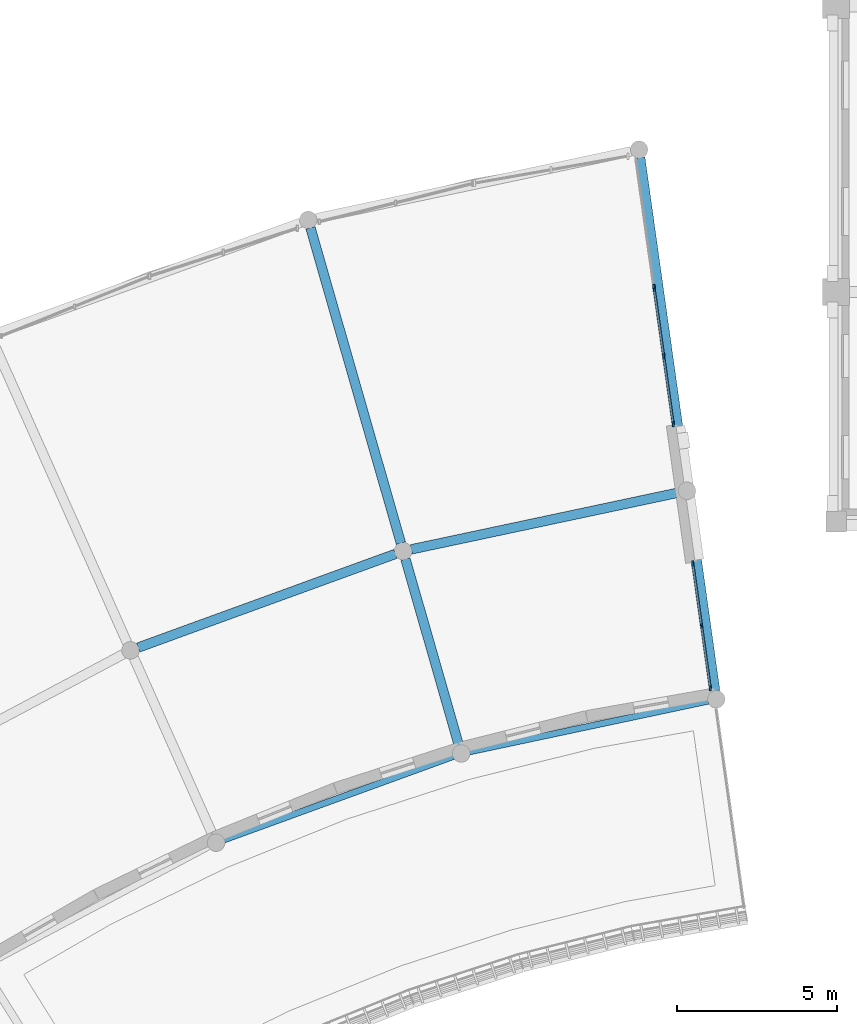
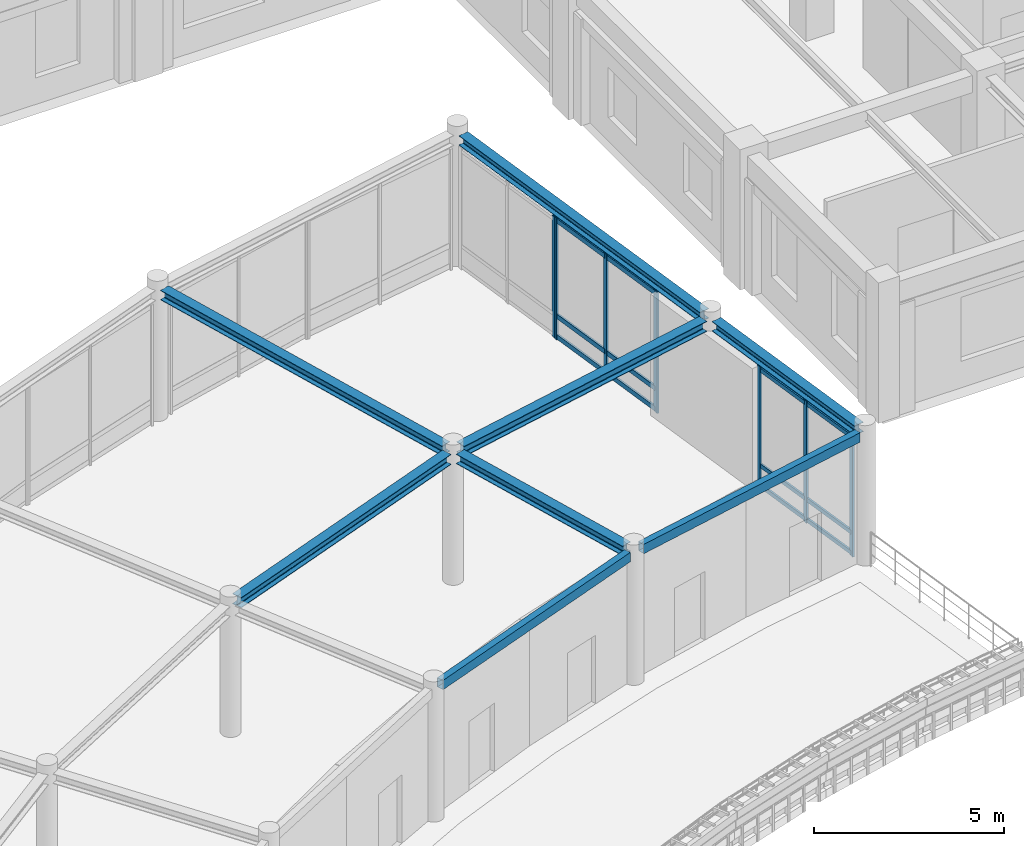
# One storey, part 23 of 62: 19 members, 8 beams, 3 elements without a shape of their own.
"""IFC4 building model written with IfcOpenShell, lengths in metres."""

from ifc_helpers import new_model, si_unit, direction, frame, origin, origin_2d, place, context, subcontext, project, spatial, rectangle, hollow_rectangle, i_section, extrude, material, material_profile, profile_set, type_object, element, aggregate, save


model = new_model("IFC4")

# Units and contexts
model_context = context("Model", 3, precision=1e-05, world=origin(), true_north=direction((0.0, 1.0)))
body_context = subcontext(model_context, "Body", "Model", "MODEL_VIEW")
ifc_project = project(units=[si_unit("LENGTHUNIT", "METRE"), si_unit("AREAUNIT", "SQUARE_METRE"), si_unit("VOLUMEUNIT", "CUBIC_METRE"), si_unit("PLANEANGLEUNIT", "RADIAN"), si_unit("MASSUNIT", "GRAM", prefix="KILO")], contexts=[model_context])

# Site, building, storey
site_placement = place(None, origin())
site = spatial("IfcSite", under=ifc_project, at=site_placement, CompositionType="ELEMENT")
building_placement = place(site_placement, origin())
building = spatial("IfcBuilding", under=site, at=building_placement, Name="Clarverna Civic Hall", CompositionType="ELEMENT")
storey_placement = place(building_placement, frame((0.0, 0.0, 5.10009765625)))
storey = spatial("IfcBuildingStorey", under=building, at=storey_placement, Name="L01", CompositionType="ELEMENT", Elevation=5.10009765625)

# Beams
ifc_material_1 = material(Name="Steel S355", Category="steel")
ifc_material_profile_1 = material_profile(ifc_material_1, hollow_rectangle(XDim=0.199951171875, YDim=0.300048828125, WallThickness=0.010009765625, at=origin_2d()), Name="RHS 300x200x10.0")
ifc_profile_set_1 = profile_set([ifc_material_profile_1], Name="Steel S355")
beam_type_1 = type_object("IfcBeamType", Name="B-ST15", PredefinedType="SPANDREL", material=ifc_profile_set_1)
beam_1_placement = place(storey_placement, frame((143.590087890625, 65.9755859375, 4.10986328125), z_axis=(-0.978149691063, -0.207901856348, 0.0), x_axis=(0.207901856348, -0.978149691063, 0.0)))
element("IfcBeam", 1, at=beam_1_placement, inside=storey, type_object=beam_type_1, Name="B-ST15-010", PredefinedType="SPANDREL", context=body_context, shape_type="SweptSolid", body=[
    extrude(hollow_rectangle(XDim=0.199951171875, YDim=0.300048828125, WallThickness=0.010009765625, at=origin_2d()), origin(), (0.0, 0.0, 1.0), 7.6552734375),
])
beam_2_placement = place(storey_placement, frame((135.603515625, 64.240966796875, 4.10986328125), z_axis=(-0.939704006101, -0.341988860808, 0.0), x_axis=(0.341988860808, -0.939704006101, 0.0)))
element("IfcBeam", 2, at=beam_2_placement, inside=storey, type_object=beam_type_1, Name="B-ST15-011", PredefinedType="SPANDREL", context=body_context, shape_type="SweptSolid", body=[
    extrude(hollow_rectangle(XDim=0.199951171875, YDim=0.300048828125, WallThickness=0.010009765625, at=origin_2d()), origin(), (0.0, 0.0, 1.0), 7.65576171875),
])
ifc_material_profile_2 = material_profile(ifc_material_1, i_section(OverallWidth=0.300048828125, OverallDepth=0.330078125, WebThickness=0.009521484375, FlangeThickness=0.0166015625, FilletRadius=0.027099609375, at=origin_2d()), Name="HEA 340")
ifc_profile_set_2 = profile_set([ifc_material_profile_2], Name="Steel S355")
beam_type_2 = type_object("IfcBeamType", Name="B-ST8", PredefinedType="BEAM", material=ifc_profile_set_2)
for number, where, z_axis, x_axis, name in (
    (3, (142.671630859375, 72.511474609375, 4.054931640625), (-0.97815139842, -0.207893823307, 0.0), (0.207893823307, -0.97815139842, 0.0), "B-ST8-058"),
    (4, (133.7841796875, 70.58544921875, 4.054931640625), (-0.939689486583, -0.342028754356, 0.0), (0.342028754356, -0.939689486583, 0.0), "B-ST8-059"),
):
    element("IfcBeam", number, at=place(storey_placement, frame(where, z_axis=z_axis, x_axis=x_axis)), inside=storey, type_object=beam_type_2, Name=name, PredefinedType="BEAM", context=body_context, shape_type="SweptSolid", body=[
        extrude(i_section(OverallWidth=0.300048828125, OverallDepth=0.330078125, WebThickness=0.009521484375, FlangeThickness=0.0166015625, FilletRadius=0.027099609375, at=origin_2d()), origin(), (0.0, 0.0, 1.0), 8.576416015625),
    ])
ifc_material_profile_3 = material_profile(ifc_material_1, i_section(OverallWidth=0.300048828125, OverallDepth=0.31005859375, WebThickness=0.009033203125, FlangeThickness=0.015380859375, FilletRadius=0.027099609375, at=origin_2d()), Name="HEA 320")
ifc_profile_set_3 = profile_set([ifc_material_profile_3], Name="Steel S355")
beam_type_3 = type_object("IfcBeamType", Name="B-ST9", PredefinedType="BEAM", material=ifc_profile_set_3)
beam_3_placement = place(storey_placement, frame((143.808349609375, 66.287109375, 4.06494140625), z_axis=(-0.139172389618, 0.990268168714, 0.0), x_axis=(-0.990268168714, -0.139172389618, 0.0)))
element("IfcBeam", 5, at=beam_3_placement, inside=storey, type_object=beam_type_3, Name="B-ST9-056", PredefinedType="BEAM", context=body_context, shape_type="SweptSolid", body=[
    extrude(i_section(OverallWidth=0.300048828125, OverallDepth=0.31005859375, WebThickness=0.009033203125, FlangeThickness=0.015380859375, FilletRadius=0.027099609375, at=origin_2d()), origin(), (0.0, 0.0, 1.0), 6.080078125),
])
beam_4_placement = place(storey_placement, frame((142.8896484375, 72.822998046875, 4.06494140625), z_axis=(-0.139170045781, 0.990268498114, 0.0), x_axis=(-0.990268498114, -0.139170045781, 0.0)))
element("IfcBeam", 6, at=beam_4_placement, inside=storey, type_object=beam_type_3, Name="B-ST9-057", PredefinedType="BEAM", context=body_context, shape_type="SweptSolid", body=[
    extrude(i_section(OverallWidth=0.300048828125, OverallDepth=0.31005859375, WebThickness=0.009033203125, FlangeThickness=0.015380859375, FilletRadius=0.027099609375, at=origin_2d()), origin(), (0.0, 0.0, 1.0), 10.280029296875),
])
beam_5_placement = place(storey_placement, frame((135.77587890625, 64.579833984375, 4.06494140625), z_axis=(-0.275622596193, 0.96126592807, 0.0), x_axis=(-0.96126592807, -0.275622596193, 0.0)))
element("IfcBeam", 7, at=beam_5_placement, inside=storey, type_object=beam_type_3, Name="B-ST9-058", PredefinedType="BEAM", context=body_context, shape_type="SweptSolid", body=[
    extrude(i_section(OverallWidth=0.300048828125, OverallDepth=0.31005859375, WebThickness=0.009033203125, FlangeThickness=0.015380859375, FilletRadius=0.027099609375, at=origin_2d()), origin(), (0.0, 0.0, 1.0), 6.080078125),
])
beam_6_placement = place(storey_placement, frame((133.956787109375, 70.92431640625, 4.06494140625), z_axis=(-0.275636928137, 0.961261818573, 0.0), x_axis=(-0.961261818573, -0.275636928137, 0.0)))
element("IfcBeam", 8, at=beam_6_placement, inside=storey, type_object=beam_type_3, Name="B-ST9-059", PredefinedType="BEAM", context=body_context, shape_type="SweptSolid", body=[
    extrude(i_section(OverallWidth=0.300048828125, OverallDepth=0.31005859375, WebThickness=0.009033203125, FlangeThickness=0.015380859375, FilletRadius=0.027099609375, at=origin_2d()), origin(), (0.0, 0.0, 1.0), 10.27978515625),
])

# Curtain wall, members
ifc_material_2 = material(Name="Anodised Bronze Architectural Aluminium", Category="aluminium")
curtain_wall_type = type_object("IfcCurtainWallType", Name="CW-03", PredefinedType="USERDEFINED", material=ifc_material_2)
curtain_wall_1_placement = place(storey_placement, origin())
curtain_wall_1 = element("IfcCurtainWall", 9, at=curtain_wall_1_placement, inside=storey, type_object=curtain_wall_type, Name="CW-03-037", ObjectType="UNITISED CURTAIN WALL", PredefinedType="USERDEFINED")
ifc_material_profile_4 = material_profile(ifc_material_2, rectangle(XDim=0.06005859375, YDim=0.179931640625, at=origin_2d()), Name="BRONZE 60x180")
ifc_profile_set_4 = profile_set([ifc_material_profile_4], Name="Anodised Bronze Architectural Aluminium")
member_type_1 = type_object("IfcMemberType", Name="CWM-01", PredefinedType="MULLION", material=ifc_profile_set_4)
member_1_placement = place(storey_placement, frame((141.894287109375, 78.900390625, 0.0), z_axis=(0.0, 0.0, 1.0), x_axis=(1.0, 0.0, 0.0)))
member_1 = element("IfcMember", 10, at=member_1_placement, type_object=member_type_1, Name="CWM-01-050", PredefinedType="MULLION", context=body_context, shape_type="SweptSolid", body=[
    extrude(rectangle(XDim=0.06005859375, YDim=0.179931640625, at=origin_2d()), origin(), (0.0, 0.0, 1.0), 3.909912109375),
])
member_2_placement = place(storey_placement, frame((142.1923828125, 76.779296875, 0.0), z_axis=(0.0, 0.0, 1.0), x_axis=(1.0, 0.0, 0.0)))
member_2 = element("IfcMember", 11, at=member_2_placement, type_object=member_type_1, Name="CWM-01-051", PredefinedType="MULLION", context=body_context, shape_type="SweptSolid", body=[
    extrude(rectangle(XDim=0.06005859375, YDim=0.179931640625, at=origin_2d()), origin(), (0.0, 0.0, 1.0), 3.909912109375),
])
member_3_placement = place(storey_placement, frame((142.490478515625, 74.658203125, 0.0), z_axis=(0.0, 0.0, 1.0), x_axis=(1.0, 0.0, 0.0)))
member_3 = element("IfcMember", 12, at=member_3_placement, type_object=member_type_1, Name="CWM-01-052", PredefinedType="MULLION", context=body_context, shape_type="SweptSolid", body=[
    extrude(rectangle(XDim=0.06005859375, YDim=0.179931640625, at=origin_2d()), origin(), (0.0, 0.0, 1.0), 3.909912109375),
])

curtain_wall_2_placement = place(storey_placement, origin())
curtain_wall_2 = element("IfcCurtainWall", 13, at=curtain_wall_2_placement, inside=storey, type_object=curtain_wall_type, Name="CW-03-038", ObjectType="UNITISED CURTAIN WALL", PredefinedType="USERDEFINED")
ifc_material_profile_5 = material_profile(ifc_material_2, rectangle(XDim=0.06005859375, YDim=0.159912109375, at=origin_2d()), Name="BRONZE 60x160")
ifc_profile_set_5 = profile_set([ifc_material_profile_5], Name="Anodised Bronze Architectural Aluminium")
member_type_2 = type_object("IfcMemberType", Name="CWM-02", PredefinedType="MULLION", material=ifc_profile_set_5)
member_4_placement = place(storey_placement, frame((143.10498046875, 70.28515625, 0.0), z_axis=(0.0, 0.0, 1.0), x_axis=(1.0, 0.0, 0.0)))
member_4 = element("IfcMember", 14, at=member_4_placement, type_object=member_type_2, Name="CWM-02-062", PredefinedType="MULLION", context=body_context, shape_type="SweptSolid", body=[
    extrude(rectangle(XDim=0.06005859375, YDim=0.159912109375, at=origin_2d()), origin(), (0.0, 0.0, 1.0), 3.909912109375),
])
member_5_placement = place(storey_placement, frame((143.379638671875, 68.331298828125, 0.0), z_axis=(0.0, 0.0, 1.0), x_axis=(1.0, 0.0, 0.0)))
member_5 = element("IfcMember", 15, at=member_5_placement, type_object=member_type_2, Name="CWM-02-063", PredefinedType="MULLION", context=body_context, shape_type="SweptSolid", body=[
    extrude(rectangle(XDim=0.06005859375, YDim=0.159912109375, at=origin_2d()), origin(), (0.0, 0.0, 1.0), 3.909912109375),
])
member_6_placement = place(storey_placement, frame((143.654296875, 66.37744140625, 0.0), z_axis=(0.0, 0.0, 1.0), x_axis=(1.0, 0.0, 0.0)))
member_6 = element("IfcMember", 16, at=member_6_placement, type_object=member_type_2, Name="CWM-02-064", PredefinedType="MULLION", context=body_context, shape_type="SweptSolid", body=[
    extrude(rectangle(XDim=0.06005859375, YDim=0.159912109375, at=origin_2d()), origin(), (0.0, 0.0, 1.0), 3.909912109375),
])

# Curtain wall, member
curtain_wall_3_placement = place(storey_placement, origin())
curtain_wall_3 = element("IfcCurtainWall", 17, at=curtain_wall_3_placement, inside=storey, type_object=curtain_wall_type, Name="CW-03-036", ObjectType="UNITISED CURTAIN WALL", PredefinedType="USERDEFINED")
ifc_material_profile_6 = material_profile(ifc_material_2, rectangle(XDim=0.054931640625, YDim=0.139892578125, at=origin_2d()), Name="BRONZE 55x140")
ifc_profile_set_6 = profile_set([ifc_material_profile_6], Name="Anodised Bronze Architectural Aluminium")
member_type_3 = type_object("IfcMemberType", Name="CWM-04", PredefinedType="MULLION", material=ifc_profile_set_6)
member_7_placement = place(storey_placement, frame((141.885009765625, 78.9658203125, 0.0), z_axis=(0.0, 0.0, 1.0), x_axis=(1.0, 0.0, 0.0)))
member_7 = element("IfcMember", 18, at=member_7_placement, type_object=member_type_3, Name="CWM-04-062", PredefinedType="MULLION", context=body_context, shape_type="SweptSolid", body=[
    extrude(rectangle(XDim=0.054931640625, YDim=0.139892578125, at=origin_2d()), origin(), (0.0, 0.0, 1.0), 3.889892578125),
])
aggregate(curtain_wall_3, [member_7])

# Member
ifc_material_profile_7 = material_profile(ifc_material_2, rectangle(XDim=0.06005859375, YDim=0.14990234375, at=origin_2d()), Name="BRONZE 60x150")
ifc_profile_set_7 = profile_set([ifc_material_profile_7], Name="Anodised Bronze Architectural Aluminium")
member_type_4 = type_object("IfcMemberType", Name="CWT-01", PredefinedType="USERDEFINED", material=ifc_profile_set_7)
member_8_placement = place(storey_placement, frame((141.896240234375, 78.885498046875, 0.094970703125), z_axis=(0.139187522113, -0.990266041874, 0.0), x_axis=(0.990266041874, 0.139187522113, 0.0)))
member_8 = element("IfcMember", 19, at=member_8_placement, type_object=member_type_4, Name="CWT-01-103", ObjectType="TRANSOM", PredefinedType="USERDEFINED", context=body_context, shape_type="SweptSolid", body=[
    extrude(rectangle(XDim=0.06005859375, YDim=0.14990234375, at=origin_2d()), origin(), (0.0, 0.0, 1.0), 2.11181640625),
])

member_9_placement = place(storey_placement, frame((141.896240234375, 78.885498046875, 0.75), z_axis=(0.139187522113, -0.990266041874, 0.0), x_axis=(0.990266041874, 0.139187522113, 0.0)))
member_9 = element("IfcMember", 20, at=member_9_placement, type_object=member_type_4, Name="CWT-01-104", ObjectType="TRANSOM", PredefinedType="USERDEFINED", context=body_context, shape_type="SweptSolid", body=[
    extrude(rectangle(XDim=0.06005859375, YDim=0.14990234375, at=origin_2d()), origin(), (0.0, 0.0, 1.0), 2.11181640625),
])

member_10_placement = place(storey_placement, frame((141.896240234375, 78.885498046875, 3.81494140625), z_axis=(0.139187522113, -0.990266041874, 0.0), x_axis=(0.990266041874, 0.139187522113, 0.0)))
member_10 = element("IfcMember", 21, at=member_10_placement, type_object=member_type_4, Name="CWT-01-105", ObjectType="TRANSOM", PredefinedType="USERDEFINED", context=body_context, shape_type="SweptSolid", body=[
    extrude(rectangle(XDim=0.06005859375, YDim=0.14990234375, at=origin_2d()), origin(), (0.0, 0.0, 1.0), 2.11181640625),
])

member_11_placement = place(storey_placement, frame((142.1943359375, 76.764404296875, 0.094970703125), z_axis=(0.139187522113, -0.990266041874, 0.0), x_axis=(0.990266041874, 0.139187522113, 0.0)))
member_11 = element("IfcMember", 22, at=member_11_placement, type_object=member_type_4, Name="CWT-01-106", ObjectType="TRANSOM", PredefinedType="USERDEFINED", context=body_context, shape_type="SweptSolid", body=[
    extrude(rectangle(XDim=0.06005859375, YDim=0.14990234375, at=origin_2d()), origin(), (0.0, 0.0, 1.0), 2.11181640625),
])

member_12_placement = place(storey_placement, frame((142.1943359375, 76.764404296875, 0.75), z_axis=(0.139187522113, -0.990266041874, 0.0), x_axis=(0.990266041874, 0.139187522113, 0.0)))
member_12 = element("IfcMember", 23, at=member_12_placement, type_object=member_type_4, Name="CWT-01-107", ObjectType="TRANSOM", PredefinedType="USERDEFINED", context=body_context, shape_type="SweptSolid", body=[
    extrude(rectangle(XDim=0.06005859375, YDim=0.14990234375, at=origin_2d()), origin(), (0.0, 0.0, 1.0), 2.11181640625),
])

member_13_placement = place(storey_placement, frame((142.1943359375, 76.764404296875, 3.81494140625), z_axis=(0.139187522113, -0.990266041874, 0.0), x_axis=(0.990266041874, 0.139187522113, 0.0)))
member_13 = element("IfcMember", 24, at=member_13_placement, type_object=member_type_4, Name="CWT-01-108", ObjectType="TRANSOM", PredefinedType="USERDEFINED", context=body_context, shape_type="SweptSolid", body=[
    extrude(rectangle(XDim=0.06005859375, YDim=0.14990234375, at=origin_2d()), origin(), (0.0, 0.0, 1.0), 2.11181640625),
])

aggregate(curtain_wall_1, [member_1, member_2, member_3, member_8, member_9, member_10, member_11, member_12, member_13])

ifc_material_profile_8 = material_profile(ifc_material_2, rectangle(XDim=0.06005859375, YDim=0.1298828125, at=origin_2d()), Name="BRONZE 60x130")
ifc_profile_set_8 = profile_set([ifc_material_profile_8], Name="Anodised Bronze Architectural Aluminium")
member_type_5 = type_object("IfcMemberType", Name="CWT-02", PredefinedType="USERDEFINED", material=ifc_profile_set_8)
member_14_placement = place(storey_placement, frame((143.107177734375, 70.270263671875, 0.094970703125), z_axis=(0.139222102315, -0.990261180814, 0.0), x_axis=(0.990261180814, 0.139222102315, 0.0)))
member_14 = element("IfcMember", 25, at=member_14_placement, type_object=member_type_5, Name="CWT-02-127", ObjectType="TRANSOM", PredefinedType="USERDEFINED", context=body_context, shape_type="SweptSolid", body=[
    extrude(rectangle(XDim=0.06005859375, YDim=0.1298828125, at=origin_2d()), origin(), (0.0, 0.0, 1.0), 1.943115234375),
])

member_15_placement = place(storey_placement, frame((143.107177734375, 70.270263671875, 0.75), z_axis=(0.139222102315, -0.990261180814, 0.0), x_axis=(0.990261180814, 0.139222102315, 0.0)))
member_15 = element("IfcMember", 26, at=member_15_placement, type_object=member_type_5, Name="CWT-02-128", ObjectType="TRANSOM", PredefinedType="USERDEFINED", context=body_context, shape_type="SweptSolid", body=[
    extrude(rectangle(XDim=0.06005859375, YDim=0.1298828125, at=origin_2d()), origin(), (0.0, 0.0, 1.0), 1.943115234375),
])

member_16_placement = place(storey_placement, frame((143.107177734375, 70.270263671875, 3.81494140625), z_axis=(0.139222102315, -0.990261180814, 0.0), x_axis=(0.990261180814, 0.139222102315, 0.0)))
member_16 = element("IfcMember", 27, at=member_16_placement, type_object=member_type_5, Name="CWT-02-129", ObjectType="TRANSOM", PredefinedType="USERDEFINED", context=body_context, shape_type="SweptSolid", body=[
    extrude(rectangle(XDim=0.06005859375, YDim=0.1298828125, at=origin_2d()), origin(), (0.0, 0.0, 1.0), 1.943115234375),
])

member_17_placement = place(storey_placement, frame((143.3818359375, 68.31640625, 0.094970703125), z_axis=(0.139098882847, -0.990278496581, 0.0), x_axis=(0.990278496581, 0.139098882847, 0.0)))
member_17 = element("IfcMember", 28, at=member_17_placement, type_object=member_type_5, Name="CWT-02-130", ObjectType="TRANSOM", PredefinedType="USERDEFINED", context=body_context, shape_type="SweptSolid", body=[
    extrude(rectangle(XDim=0.06005859375, YDim=0.1298828125, at=origin_2d()), origin(), (0.0, 0.0, 1.0), 1.94287109375),
])

member_18_placement = place(storey_placement, frame((143.3818359375, 68.31640625, 0.75), z_axis=(0.139098882847, -0.990278496581, 0.0), x_axis=(0.990278496581, 0.139098882847, 0.0)))
member_18 = element("IfcMember", 29, at=member_18_placement, type_object=member_type_5, Name="CWT-02-131", ObjectType="TRANSOM", PredefinedType="USERDEFINED", context=body_context, shape_type="SweptSolid", body=[
    extrude(rectangle(XDim=0.06005859375, YDim=0.1298828125, at=origin_2d()), origin(), (0.0, 0.0, 1.0), 1.94287109375),
])

member_19_placement = place(storey_placement, frame((143.3818359375, 68.31640625, 3.81494140625), z_axis=(0.139098882847, -0.990278496581, 0.0), x_axis=(0.990278496581, 0.139098882847, 0.0)))
member_19 = element("IfcMember", 30, at=member_19_placement, type_object=member_type_5, Name="CWT-02-132", ObjectType="TRANSOM", PredefinedType="USERDEFINED", context=body_context, shape_type="SweptSolid", body=[
    extrude(rectangle(XDim=0.06005859375, YDim=0.1298828125, at=origin_2d()), origin(), (0.0, 0.0, 1.0), 1.94287109375),
])

aggregate(curtain_wall_2, [member_4, member_5, member_6, member_14, member_15, member_16, member_17, member_18, member_19])

save(model, "model.ifc")
